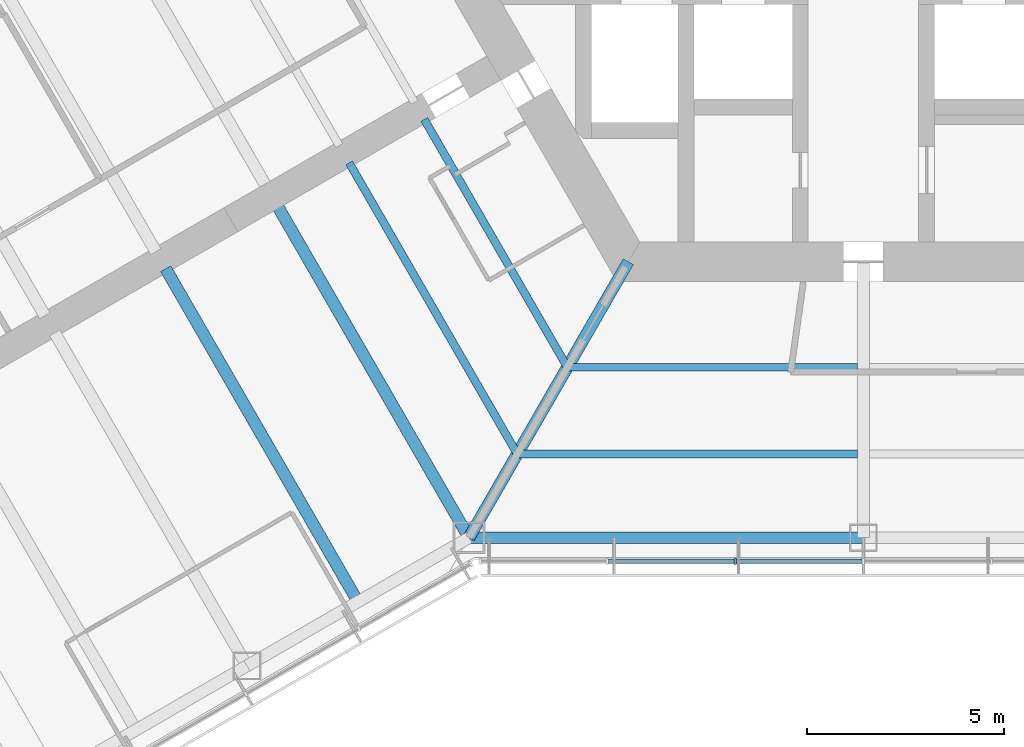
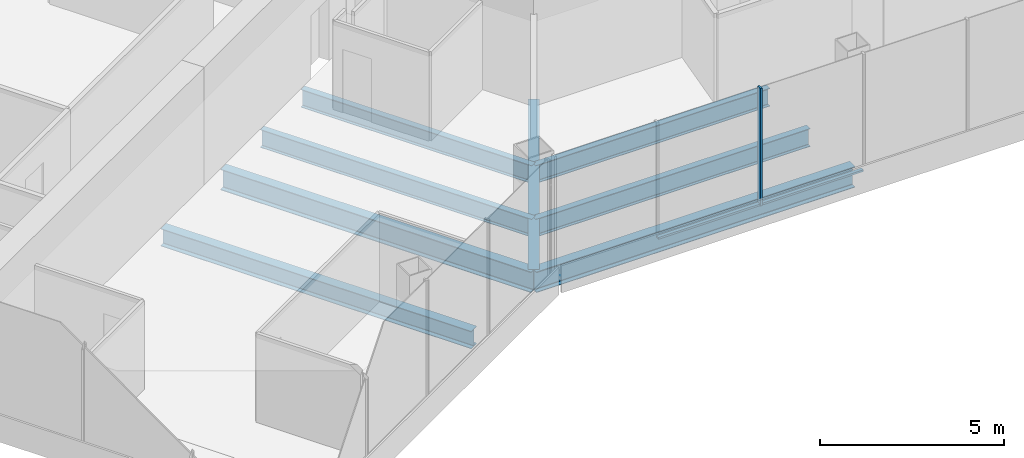
# One storey, part 3 of 18: 8 beams, 3 members, 1 element without a shape of its own.
"""IFC4 building model written with IfcOpenShell, lengths in metres."""

from ifc_helpers import new_model, si_unit, direction, frame, origin, origin_2d, place, context, subcontext, project, spatial, rectangle, i_section, extrude, material, material_profile, profile_set, type_object, element, aggregate, save


model = new_model("IFC4")

# Units and contexts
model_context = context("Model", 3, precision=1e-05, world=origin(), true_north=direction((0.0, 1.0)))
body_context = subcontext(model_context, "Body", "Model", "MODEL_VIEW")
ifc_project = project(units=[si_unit("LENGTHUNIT", "METRE"), si_unit("AREAUNIT", "SQUARE_METRE"), si_unit("VOLUMEUNIT", "CUBIC_METRE"), si_unit("PLANEANGLEUNIT", "RADIAN"), si_unit("MASSUNIT", "GRAM", prefix="KILO")], contexts=[model_context])

# Site, building, storey
site_placement = place(None, origin())
site = spatial("IfcSite", under=ifc_project, at=site_placement, CompositionType="ELEMENT")
building_placement = place(site_placement, origin())
building = spatial("IfcBuilding", under=site, at=building_placement, Name="Kasaneha Research Tower", CompositionType="ELEMENT")
storey_placement = place(building_placement, frame((0.0, 0.0, 144.800048828125)))
storey = spatial("IfcBuildingStorey", under=building, at=storey_placement, Name="L36", CompositionType="ELEMENT", Elevation=144.800048828125)

# Beams
ifc_material_1 = material(Name="Steel SN490B", Category="steel")
ifc_material_profile_1 = material_profile(ifc_material_1, i_section(OverallWidth=0.199951171875, OverallDepth=0.60009765625, WebThickness=0.010986328125, FlangeThickness=0.01708984375, FilletRadius=0.012939453125, at=origin_2d()), Name="H-600x200x11x17")
ifc_profile_set_1 = profile_set([ifc_material_profile_1], Name="Steel SN490B")
beam_type_1 = type_object("IfcBeamType", Name="B1-3 secondary beam H-600x200x11x17", PredefinedType="JOIST", material=ifc_profile_set_1)
beam_1_placement = place(storey_placement, frame((-7.505615234375, -13.0, -0.449951171875), z_axis=(-0.499993340521, 0.866029248602, 0.0), x_axis=(-0.866029248602, -0.499993340521, 0.0)))
element("IfcBeam", 1, at=beam_1_placement, inside=storey, type_object=beam_type_1, Name="Secondary beam RS210R1 L36", PredefinedType="JOIST", context=body_context, shape_type="SweptSolid", body=[
    extrude(i_section(OverallWidth=0.199951171875, OverallDepth=0.60009765625, WebThickness=0.010986328125, FlangeThickness=0.01708984375, FilletRadius=0.012939453125, at=origin_2d()), origin(), (0.0, 0.0, 1.0), 7.25537109375),
])
beam_2_placement = place(storey_placement, frame((-8.775634765625, -15.199951171875, -0.449951171875), z_axis=(-0.500004205306, 0.866022975836, 0.0), x_axis=(-0.866022975836, -0.500004205306, 0.0)))
element("IfcBeam", 2, at=beam_2_placement, inside=storey, type_object=beam_type_1, Name="Secondary beam RS210R2 L36", PredefinedType="JOIST", context=body_context, shape_type="SweptSolid", body=[
    extrude(i_section(OverallWidth=0.199951171875, OverallDepth=0.60009765625, WebThickness=0.010986328125, FlangeThickness=0.01708984375, FilletRadius=0.012939453125, at=origin_2d()), origin(), (0.0, 0.0, 1.0), 8.52587890625),
])
beam_3_placement = place(storey_placement, frame((-7.505615234375, -13.0, -0.449951171875), z_axis=(1.0, 0.0, 0.0), x_axis=(0.0, 1.0, 0.0)))
element("IfcBeam", 3, at=beam_3_placement, inside=storey, type_object=beam_type_1, Name="Secondary beam RS270L1 L36", PredefinedType="JOIST", context=body_context, shape_type="SweptSolid", body=[
    extrude(i_section(OverallWidth=0.199951171875, OverallDepth=0.60009765625, WebThickness=0.010986328125, FlangeThickness=0.01708984375, FilletRadius=0.012939453125, at=origin_2d()), origin(), (0.0, 0.0, 1.0), 7.355712890625),
])
beam_4_placement = place(storey_placement, frame((-8.775634765625, -15.199951171875, -0.449951171875), z_axis=(1.0, 0.0, 0.0), x_axis=(0.0, 1.0, 0.0)))
element("IfcBeam", 4, at=beam_4_placement, inside=storey, type_object=beam_type_1, Name="Secondary beam RS270L2 L36", PredefinedType="JOIST", context=body_context, shape_type="SweptSolid", body=[
    extrude(i_section(OverallWidth=0.199951171875, OverallDepth=0.60009765625, WebThickness=0.010986328125, FlangeThickness=0.01708984375, FilletRadius=0.012939453125, at=origin_2d()), origin(), (0.0, 0.0, 1.0), 8.625732421875),
])
ifc_material_2 = material(Name="Steel SN490B", Category="steel")
ifc_material_profile_2 = material_profile(ifc_material_2, i_section(OverallWidth=0.300048828125, OverallDepth=0.58203125, WebThickness=0.011962890625, FlangeThickness=0.01708984375, FilletRadius=0.012939453125, at=origin_2d()), Name="H-582x300x12x17")
ifc_profile_set_2 = profile_set([ifc_material_profile_2], Name="Steel SN490B")
beam_type_2 = type_object("IfcBeamType", Name="B2-3 secondary beam H-582x300x12x17", PredefinedType="JOIST", material=ifc_profile_set_2)
beam_5_placement = place(storey_placement, frame((-12.814697265625, -18.945556640625, -0.441162109375), z_axis=(-0.499995560238, 0.866027967067, 0.0), x_axis=(-0.866027967067, -0.499995560238, 0.0)))
element("IfcBeam", 5, at=beam_5_placement, inside=storey, type_object=beam_type_2, Name="Secondary beam WBBN1 L36", PredefinedType="JOIST", context=body_context, shape_type="SweptSolid", body=[
    extrude(i_section(OverallWidth=0.300048828125, OverallDepth=0.58203125, WebThickness=0.011962890625, FlangeThickness=0.01708984375, FilletRadius=0.012939453125, at=origin_2d()), origin(), (0.0, 0.0, 1.0), 9.75),
])

# Curtain wall, members
ifc_material_3 = material(Name="Glass and aluminium", Category="aluminium")
curtain_wall_type = type_object("IfcCurtainWallType", Name="Mid-rise office curtain wall", PredefinedType="USERDEFINED", material=ifc_material_3)
curtain_wall_placement = place(storey_placement, origin())
curtain_wall = element("IfcCurtainWall", 6, at=curtain_wall_placement, inside=storey, type_object=curtain_wall_type, Name="CW-O2 L36 run 01a", ObjectType="UNITISED CURTAIN WALL", PredefinedType="USERDEFINED")
ifc_material_4 = material(Name="Aluminium 6063-T6", Category="aluminium")
ifc_material_profile_3 = material_profile(ifc_material_4, rectangle(XDim=0.06005859375, YDim=0.14990234375, at=origin_2d()), Name="CW-O2 mullion 60x150")
ifc_profile_set_3 = profile_set([ifc_material_profile_3], Name="Aluminium 6063-T6")
member_type_1 = type_object("IfcMemberType", Name="CW-O2 mullion", PredefinedType="MULLION", material=ifc_profile_set_3)
member_1_placement = place(storey_placement, frame((-3.246337890625, -17.92041015625, 0.0), z_axis=(0.0, 0.0, 1.0), x_axis=(1.0, 0.0, 0.0)))
member_1 = element("IfcMember", 7, at=member_1_placement, type_object=member_type_1, Name="CW-O2 mullion 3", PredefinedType="MULLION", context=body_context, shape_type="SweptSolid", body=[
    extrude(rectangle(XDim=0.06005859375, YDim=0.14990234375, at=origin_2d()), origin(), (0.0, 0.0, 1.0), 3.89990234375),
])
ifc_material_5 = material(Name="Aluminium 6063-T6", Category="aluminium")
ifc_material_profile_4 = material_profile(ifc_material_5, rectangle(XDim=0.110107421875, YDim=0.06005859375, at=origin_2d()), Name="CW-O2 transom 110x60")
ifc_profile_set_4 = profile_set([ifc_material_profile_4], Name="Aluminium 6063-T6")
member_type_2 = type_object("IfcMemberType", Name="CW-O2 transom", PredefinedType="USERDEFINED", material=ifc_profile_set_4)
member_2_placement = place(storey_placement, frame((-6.462890625, -17.92041015625, 0.030029296875), z_axis=(1.0, 0.0, 0.0), x_axis=(0.0, 1.0, 0.0)))
member_2 = element("IfcMember", 8, at=member_2_placement, type_object=member_type_2, Name="CW-O2 transom 2", ObjectType="TRANSOM", PredefinedType="USERDEFINED", context=body_context, shape_type="SweptSolid", body=[
    extrude(rectangle(XDim=0.110107421875, YDim=0.06005859375, at=origin_2d()), origin(), (0.0, 0.0, 1.0), 3.1865234375),
])
member_3_placement = place(storey_placement, frame((-3.21630859375, -17.92041015625, 0.030029296875), z_axis=(1.0, 0.0, 0.0), x_axis=(0.0, 1.0, 0.0)))
member_3 = element("IfcMember", 9, at=member_3_placement, type_object=member_type_2, Name="CW-O2 transom 3", ObjectType="TRANSOM", PredefinedType="USERDEFINED", context=body_context, shape_type="SweptSolid", body=[
    extrude(rectangle(XDim=0.110107421875, YDim=0.06005859375, at=origin_2d()), origin(), (0.0, 0.0, 1.0), 3.186279296875),
])
aggregate(curtain_wall, [member_1, member_2, member_3])

# Beams
ifc_material_6 = material(Name="Steel SN490B", Category="steel")
ifc_material_profile_5 = material_profile(ifc_material_6, i_section(OverallWidth=0.300048828125, OverallDepth=0.699951171875, WebThickness=0.012939453125, FlangeThickness=0.02392578125, FilletRadius=0.01806640625, at=origin_2d()), Name="H-700x300x13x24")
ifc_profile_set_5 = profile_set([ifc_material_profile_5], Name="Steel SN490B")
beam_type_3 = type_object("IfcBeamType", Name="G1-3 radial girder H-700x300x13x24", PredefinedType="BEAM", material=ifc_profile_set_5)
beam_6_placement = place(storey_placement, frame((-5.961181640625, -10.324951171875, -0.5), z_axis=(-0.49999105496, -0.866030568144, 0.0), x_axis=(0.866030568144, -0.49999105496, 0.0)))
element("IfcBeam", 10, at=beam_6_placement, inside=storey, type_object=beam_type_3, Name="Radial girder RV240 L36", PredefinedType="BEAM", context=body_context, shape_type="SweptSolid", body=[
    extrude(i_section(OverallWidth=0.300048828125, OverallDepth=0.699951171875, WebThickness=0.012939453125, FlangeThickness=0.02392578125, FilletRadius=0.01806640625, at=origin_2d()), origin(), (0.0, 0.0, 1.0), 8.077880859375),
])
ifc_material_7 = material(Name="Steel SN490B", Category="steel")
ifc_material_profile_6 = material_profile(ifc_material_7, i_section(OverallWidth=0.300048828125, OverallDepth=0.69189453125, WebThickness=0.012939453125, FlangeThickness=0.02001953125, FilletRadius=0.01806640625, at=origin_2d()), Name="H-692x300x13x20")
ifc_profile_set_6 = profile_set([ifc_material_profile_6], Name="Steel SN490B")
beam_type_4 = type_object("IfcBeamType", Name="G3-3 plate edge girder H-692x300x13x20", PredefinedType="BEAM", material=ifc_profile_set_6)
beam_7_placement = place(storey_placement, frame((-10.0, -17.320556640625, -0.49609375), z_axis=(-0.499995560238, 0.866027967067, 0.0), x_axis=(-0.866027967067, -0.499995560238, 0.0)))
element("IfcBeam", 11, at=beam_7_placement, inside=storey, type_object=beam_type_4, Name="Plate edge girder PEBN L36", PredefinedType="BEAM", context=body_context, shape_type="SweptSolid", body=[
    extrude(i_section(OverallWidth=0.300048828125, OverallDepth=0.69189453125, WebThickness=0.012939453125, FlangeThickness=0.02001953125, FilletRadius=0.01806640625, at=origin_2d()), origin(), (0.0, 0.0, 1.0), 9.75),
])
ifc_material_8 = material(Name="Steel SN490B", Category="steel")
ifc_material_profile_7 = material_profile(ifc_material_8, i_section(OverallWidth=0.300048828125, OverallDepth=0.69189453125, WebThickness=0.012939453125, FlangeThickness=0.02001953125, FilletRadius=0.01806640625, at=origin_2d()), Name="H-692x300x13x20")
ifc_profile_set_7 = profile_set([ifc_material_profile_7], Name="Steel SN490B")
beam_type_5 = type_object("IfcBeamType", Name="SB1-3 spandrel beam H-692x300x13x20", PredefinedType="SPANDREL", material=ifc_profile_set_7)
beam_8_placement = place(storey_placement, frame((-10.0, -17.320556640625, -0.49609375), z_axis=(1.0, 0.0, 0.0), x_axis=(0.0, 1.0, 0.0)))
element("IfcBeam", 12, at=beam_8_placement, inside=storey, type_object=beam_type_5, Name="Spandrel beam SR270L L36", PredefinedType="SPANDREL", context=body_context, shape_type="SweptSolid", body=[
    extrude(i_section(OverallWidth=0.300048828125, OverallDepth=0.69189453125, WebThickness=0.012939453125, FlangeThickness=0.02001953125, FilletRadius=0.01806640625, at=origin_2d()), origin(), (0.0, 0.0, 1.0), 10.0),
])

save(model, "model.ifc")
